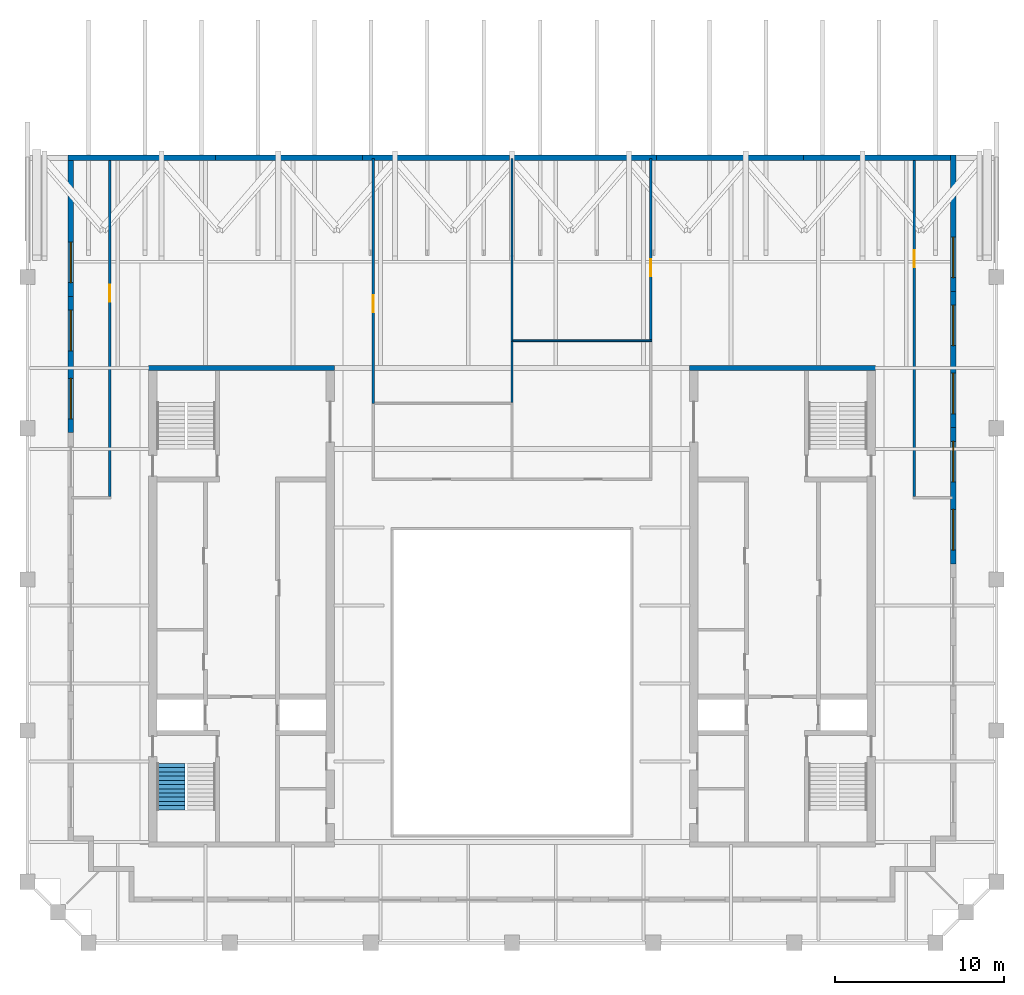
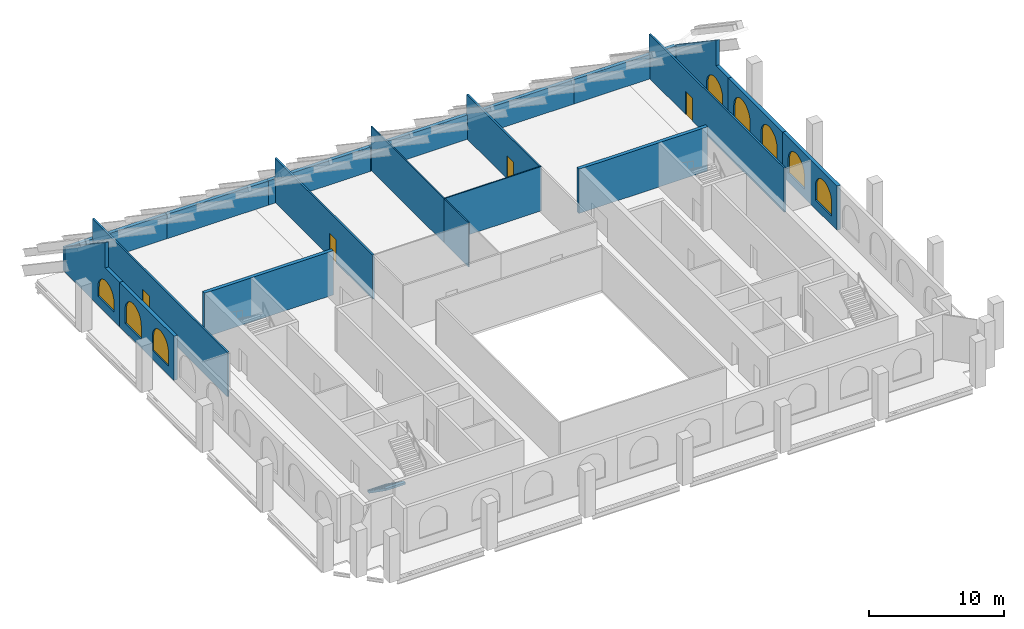
# One storey, part 6 of 8: 20 walls, 8 windows, 4 doors, 1 stair flight, 12 openings, 1 element without a shape of its own.
"""IFC4 building model written with IfcOpenShell, lengths in metres."""

from ifc_helpers import new_model, si_unit, direction, frame, frame_2d, origin, place, context, subcontext, project, spatial, polyline, rectangle, outline, extrude, material, layer, layer_set, type_object, element, fill, aggregate, save


model = new_model("IFC4")

# Units and contexts
model_context = context("Model", 3, precision=1e-05, world=origin(), true_north=direction((0.0, 1.0)))
body_context = subcontext(model_context, "Body", "Model", "MODEL_VIEW")
ifc_project = project(units=[si_unit("LENGTHUNIT", "METRE"), si_unit("AREAUNIT", "SQUARE_METRE"), si_unit("VOLUMEUNIT", "CUBIC_METRE"), si_unit("PLANEANGLEUNIT", "RADIAN"), si_unit("MASSUNIT", "GRAM", prefix="KILO")], contexts=[model_context])

# Site, building, storey
site_placement = place(None, origin())
site = spatial("IfcSite", under=ifc_project, at=site_placement, CompositionType="ELEMENT")
building_placement = place(site_placement, origin())
building = spatial("IfcBuilding", under=site, at=building_placement, Name="Ogive Exchange Tower", CompositionType="ELEMENT")
storey_placement = place(building_placement, frame((0.0, 0.0, 381.60009765625)))
storey = spatial("IfcBuildingStorey", under=building, at=storey_placement, Name="C04", CompositionType="ELEMENT", Elevation=381.60009765625)

# Wall, opening, door
ifc_material_1 = material(Name="Fire partition EI 60 150")
ifc_layer_1 = layer(ifc_material_1, 0.14990234375)
ifc_layer_set_1 = layer_set([ifc_layer_1], Name="Fire partition EI 60 150")
wall_type_1 = type_object("IfcWallType", Name="Fire partition EI 60 150", PredefinedType="PARTITIONING", material=ifc_layer_set_1)
wall_1_placement = place(storey_placement, frame((-23.800048828125, 17.985107421875, 0.0), z_axis=(0.0, 0.0, 1.0), x_axis=(0.0, 1.0, 0.0)))
wall_1 = element("IfcWall", 1, at=wall_1_placement, inside=storey, type_object=wall_type_1, Name="C04-PWL-002", PredefinedType="PARTITIONING", context=body_context, shape_type="SweptSolid", body=[
    extrude(rectangle(XDim=19.989013671875, YDim=0.14990234375, at=frame_2d((9.99462890625, 0.0))), origin(), (0.0, 0.0, 1.0), 4.0),
])
opening_1_placement = place(wall_1_placement, frame((11.534912109375, 0.0, 0.0)))
opening_1 = element("IfcOpeningElement", 2, at=opening_1_placement, cuts=wall_1, Name="Opening C04-I05", PredefinedType="OPENING", context=body_context, shape_type="SweptSolid", body=[
    extrude(rectangle(XDim=1.0, YDim=2.10009765625, at=frame_2d((0.5, 1.050048828125))), frame((0.0, 0.0849609375, 0.0), z_axis=(0.0, -1.0, 0.0), x_axis=(1.0, 0.0, 0.0)), (0.0, 0.0, 1.0), 0.169921875),
])
ifc_material_2 = material(Name="Fire door FD 30S 1000 x 2100")
door_type = type_object("IfcDoorType", Name="Fire door FD 30S 1000 x 2100", OperationType="NOTDEFINED", PredefinedType="DOOR", material=ifc_material_2)
door_1_placement = place(opening_1_placement, origin())
door_1 = element("IfcDoor", 3, at=door_1_placement, inside=storey, type_object=door_type, Name="C04-IDR-005", ObjectType="DT3", OperationType="SINGLE_SWING_LEFT", OverallHeight=2.10009765625, OverallWidth=1.0, PredefinedType="DOOR", context=body_context, shape_type="SweptSolid", body=[
    extrude(rectangle(XDim=1.0, YDim=2.10009765625, at=frame_2d((0.5, 1.050048828125))), frame((0.0, 0.02490234375, 0.0), z_axis=(0.0, -1.0, 0.0), x_axis=(1.0, 0.0, 0.0)), (0.0, 0.0, 1.0), 0.050048828125),
])
fill(opening_1, door_1)

wall_2_placement = place(storey_placement, frame((-8.199951171875, 37.97412109375, 0.0), z_axis=(0.0, 0.0, 1.0), x_axis=(0.0, -1.0, 0.0)))
wall_2 = element("IfcWall", 4, at=wall_2_placement, inside=storey, type_object=wall_type_1, Name="C04-PWL-006", PredefinedType="PARTITIONING", context=body_context, shape_type="SweptSolid", body=[
    extrude(rectangle(XDim=14.47412109375, YDim=0.14990234375, at=frame_2d((7.237060546875, 0.0))), origin(), (0.0, 0.0, 1.0), 4.0),
])
opening_2_placement = place(wall_2_placement, frame((8.073974609375, 0.0, 0.0)))
opening_2 = element("IfcOpeningElement", 5, at=opening_2_placement, cuts=wall_2, Name="Opening C04-I04", PredefinedType="OPENING", context=body_context, shape_type="SweptSolid", body=[
    extrude(rectangle(XDim=1.0, YDim=2.10009765625, at=frame_2d((0.5, 1.050048828125))), frame((0.0, 0.0849609375, 0.0), z_axis=(0.0, -1.0, 0.0), x_axis=(1.0, 0.0, 0.0)), (0.0, 0.0, 1.0), 0.169921875),
])
door_2_placement = place(opening_2_placement, origin())
door_2 = element("IfcDoor", 6, at=door_2_placement, inside=storey, type_object=door_type, Name="C04-IDR-004", ObjectType="DT3", OperationType="SINGLE_SWING_LEFT", OverallHeight=2.10009765625, OverallWidth=1.0, PredefinedType="DOOR", context=body_context, shape_type="SweptSolid", body=[
    extrude(rectangle(XDim=1.0, YDim=2.10009765625, at=frame_2d((0.5, 1.050048828125))), frame((0.0, 0.02490234375, 0.0), z_axis=(0.0, -1.0, 0.0), x_axis=(1.0, 0.0, 0.0)), (0.0, 0.0, 1.0), 0.050048828125),
])
fill(opening_2, door_2)

wall_3_placement = place(storey_placement, frame((8.199951171875, 27.25, 0.0), z_axis=(0.0, 0.0, 1.0), x_axis=(0.0, 1.0, 0.0)))
wall_3 = element("IfcWall", 7, at=wall_3_placement, inside=storey, type_object=wall_type_1, Name="C04-PWL-013", PredefinedType="PARTITIONING", context=body_context, shape_type="SweptSolid", body=[
    extrude(rectangle(XDim=10.72412109375, YDim=0.14990234375, at=frame_2d((5.362060546875, 0.0))), origin(), (0.0, 0.0, 1.0), 4.0),
])
opening_3_placement = place(wall_3_placement, frame((3.77001953125, 0.0, 0.0)))
opening_3 = element("IfcOpeningElement", 8, at=opening_3_placement, cuts=wall_3, Name="Opening C04-I02", PredefinedType="OPENING", context=body_context, shape_type="SweptSolid", body=[
    extrude(rectangle(XDim=1.0, YDim=2.10009765625, at=frame_2d((0.5, 1.050048828125))), frame((0.0, 0.0849609375, 0.0), z_axis=(0.0, -1.0, 0.0), x_axis=(1.0, 0.0, 0.0)), (0.0, 0.0, 1.0), 0.169921875),
])
door_3_placement = place(opening_3_placement, origin())
door_3 = element("IfcDoor", 9, at=door_3_placement, inside=storey, type_object=door_type, Name="C04-IDR-002", ObjectType="DT3", OperationType="SINGLE_SWING_RIGHT", OverallHeight=2.10009765625, OverallWidth=1.0, PredefinedType="DOOR", context=body_context, shape_type="SweptSolid", body=[
    extrude(rectangle(XDim=1.0, YDim=2.10009765625, at=frame_2d((0.5, 1.050048828125))), frame((0.0, 0.02490234375, 0.0), z_axis=(0.0, -1.0, 0.0), x_axis=(1.0, 0.0, 0.0)), (0.0, 0.0, 1.0), 0.050048828125),
])
fill(opening_3, door_3)

wall_4_placement = place(storey_placement, frame((23.800048828125, 37.97412109375, 0.0), z_axis=(0.0, 0.0, 1.0), x_axis=(0.0, -1.0, 0.0)))
wall_4 = element("IfcWall", 10, at=wall_4_placement, inside=storey, type_object=wall_type_1, Name="C04-PWL-015", PredefinedType="PARTITIONING", context=body_context, shape_type="SweptSolid", body=[
    extrude(rectangle(XDim=19.989013671875, YDim=0.14990234375, at=frame_2d((9.99462890625, 0.0))), origin(), (0.0, 0.0, 1.0), 4.0),
])
opening_4_placement = place(wall_4_placement, frame((5.4140625, 0.0, 0.0)))
opening_4 = element("IfcOpeningElement", 11, at=opening_4_placement, cuts=wall_4, Name="Opening C04-I06", PredefinedType="OPENING", context=body_context, shape_type="SweptSolid", body=[
    extrude(rectangle(XDim=1.0, YDim=2.10009765625, at=frame_2d((0.5, 1.050048828125))), frame((0.0, 0.0849609375, 0.0), z_axis=(0.0, -1.0, 0.0), x_axis=(1.0, 0.0, 0.0)), (0.0, 0.0, 1.0), 0.169921875),
])
door_4_placement = place(opening_4_placement, origin())
door_4 = element("IfcDoor", 12, at=door_4_placement, inside=storey, type_object=door_type, Name="C04-IDR-006", ObjectType="DT3", OperationType="SINGLE_SWING_LEFT", OverallHeight=2.10009765625, OverallWidth=1.0, PredefinedType="DOOR", context=body_context, shape_type="SweptSolid", body=[
    extrude(rectangle(XDim=1.0, YDim=2.10009765625, at=frame_2d((0.5, 1.050048828125))), frame((0.0, 0.02490234375, 0.0), z_axis=(0.0, -1.0, 0.0), x_axis=(1.0, 0.0, 0.0)), (0.0, 0.0, 1.0), 0.050048828125),
])
fill(opening_4, door_4)

# Walls
ifc_material_3 = material(Name="Partition 100 gypsum")
ifc_layer_2 = layer(ifc_material_3, 0.10009765625)
ifc_layer_set_2 = layer_set([ifc_layer_2], Name="Partition 100 gypsum")
wall_type_2 = type_object("IfcWallType", Name="Partition 100 gypsum", PredefinedType="PARTITIONING", material=ifc_layer_set_2)
wall_5_placement = place(storey_placement, frame((0.0, 23.550048828125, 0.0), z_axis=(0.0, 0.0, 1.0), x_axis=(0.0, 1.0, 0.0)))
element("IfcWall", 13, at=wall_5_placement, inside=storey, type_object=wall_type_2, Name="C04-PWL-009", PredefinedType="PARTITIONING", context=body_context, shape_type="SweptSolid", body=[
    extrude(rectangle(XDim=3.599853515625, YDim=0.10009765625, at=frame_2d((1.7998046875, 0.0))), origin(), (0.0, 0.0, 1.0), 4.0),
])
wall_6_placement = place(storey_placement, frame((0.0, 27.14990234375, 0.0), z_axis=(0.0, 0.0, 1.0), x_axis=(0.0, 1.0, 0.0)))
element("IfcWall", 14, at=wall_6_placement, inside=storey, type_object=wall_type_2, Name="C04-PWL-010", PredefinedType="PARTITIONING", context=body_context, shape_type="SweptSolid", body=[
    extrude(rectangle(XDim=10.82421875, YDim=0.10009765625, at=frame_2d((5.412109375, 0.0))), origin(), (0.0, 0.0, 1.0), 4.0),
])
wall_7_placement = place(storey_placement, frame((0.050048828125, 27.199951171875, 0.0), z_axis=(0.0, 0.0, 1.0), x_axis=(1.0, 0.0, 0.0)))
element("IfcWall", 15, at=wall_7_placement, inside=storey, type_object=wall_type_2, Name="C04-PWL-011", PredefinedType="PARTITIONING", context=body_context, shape_type="SweptSolid", body=[
    extrude(rectangle(XDim=8.224853515625, YDim=0.10009765625, at=frame_2d((4.1123046875, 0.0))), origin(), (0.0, 0.0, 1.0), 4.0),
])
ifc_material_4 = material(Name="Concrete C70/85", Category="concrete")
ifc_layer_3 = layer(ifc_material_4, 0.300048828125)
ifc_layer_set_3 = layer_set([ifc_layer_3], Name="RC core wall 300 C70/85")
wall_type_3 = type_object("IfcWallType", Name="RC core wall 300 C70/85", PredefinedType="SHEAR", material=ifc_layer_set_3)
for number, where, z_axis, x_axis, name in (
    (16, (-21.5, 25.60009765625, 0.0), (0.0, 0.0, 1.0), (1.0, 0.0, 0.0), "W north end wall"),
    (17, (10.5, 25.60009765625, 0.0), (0.0, 0.0, 1.0), (1.0, 0.0, 0.0), "E north end wall"),
):
    element("IfcWall", number, at=place(storey_placement, frame(where, z_axis=z_axis, x_axis=x_axis)), inside=storey, type_object=wall_type_3, Name=name, PredefinedType="SHEAR", context=body_context, shape_type="SweptSolid", body=[
        extrude(rectangle(XDim=11.0, YDim=0.300048828125, at=frame_2d((5.5, 0.0))), origin(), (0.0, 0.0, 1.0), 4.0),
    ])

# Wall, openings, windows
ifc_material_5 = material(Name="Precast concrete C40/50", Category="concrete")
ifc_layer_4 = layer(ifc_material_5, 0.300048828125)
ifc_layer_set_4 = layer_set([ifc_layer_4], Name="Zinc-clad crown wall 300")
wall_type_4 = type_object("IfcWallType", Name="Zinc-clad crown wall 300", PredefinedType="STANDARD", material=ifc_layer_set_4)
wall_8_placement = place(storey_placement, frame((26.10009765625, 14.009765625, 0.0), z_axis=(0.0, 0.0, 1.0), x_axis=(0.0, 1.0, 0.0)))
wall_8 = element("IfcWall", 18, at=wall_8_placement, inside=storey, type_object=wall_type_4, Name="Crown wall 15", PredefinedType="STANDARD", context=body_context, shape_type="SweptSolid", body=[
    extrude(rectangle(XDim=8.054931640625, YDim=0.300048828125, at=frame_2d((4.02734375, 0.0))), origin(), (0.0, 0.0, 1.0), 4.0),
])
opening_5_placement = place(wall_8_placement, frame((0.813720703125, 0.0, 0.800048828125)))
opening_5 = element("IfcOpeningElement", 19, at=opening_5_placement, cuts=wall_8, Name="Opening WC25", PredefinedType="OPENING", context=body_context, shape_type="SweptSolid", body=[
    extrude(outline(polyline([(0.0, 0.0), (2.39990234375, 0.0), (2.39990234375, 1.25), (2.377197265625, 1.48779296875), (2.3095703125, 1.717041015625), (2.19970703125, 1.928955078125), (2.05126953125, 2.116455078125), (1.8701171875, 2.272216796875), (1.662841796875, 2.390625), (1.4365234375, 2.467529296875), (1.199951171875, 2.5), (0.96337890625, 2.467529296875), (0.737060546875, 2.390625), (0.52978515625, 2.272216796875), (0.3486328125, 2.116455078125), (0.2001953125, 1.928955078125), (0.09033203125, 1.717041015625), (0.022705078125, 1.48779296875), (0.0, 1.25), (0.0, 0.0)])), frame((0.0, 0.159912109375, 0.0), z_axis=(0.0, -1.0, 0.0), x_axis=(1.0, 0.0, 0.0)), (0.0, 0.0, 1.0), 0.320068359375),
])
opening_6_placement = place(wall_8_placement, frame((4.84130859375, 0.0, 0.800048828125)))
opening_6 = element("IfcOpeningElement", 20, at=opening_6_placement, cuts=wall_8, Name="Opening WC25", PredefinedType="OPENING", context=body_context, shape_type="SweptSolid", body=[
    extrude(outline(polyline([(0.0, 0.0), (2.39990234375, 0.0), (2.39990234375, 1.25), (2.377197265625, 1.48779296875), (2.3095703125, 1.717041015625), (2.19970703125, 1.928955078125), (2.05126953125, 2.116455078125), (1.8701171875, 2.272216796875), (1.662841796875, 2.390625), (1.4365234375, 2.467529296875), (1.199951171875, 2.5), (0.96337890625, 2.467529296875), (0.737060546875, 2.390625), (0.52978515625, 2.272216796875), (0.3486328125, 2.116455078125), (0.2001953125, 1.928955078125), (0.09033203125, 1.717041015625), (0.022705078125, 1.48779296875), (0.0, 1.25), (0.0, 0.0)])), frame((0.0, 0.159912109375, 0.0), z_axis=(0.0, -1.0, 0.0), x_axis=(1.0, 0.0, 0.0)), (0.0, 0.0, 1.0), 0.320068359375),
])
ifc_material_6 = material(Name="Clear glass in bronze frame", Category="glass")
window_type_1 = type_object("IfcWindowType", Name="Crown lancet window 2400 x 2500", PartitioningType="DOUBLE_PANEL_VERTICAL", PredefinedType="WINDOW", material=ifc_material_6)
window_1_placement = place(opening_5_placement, origin())
window_1 = element("IfcWindow", 21, at=window_1_placement, inside=storey, type_object=window_type_1, Name="Crown lancet 15.1", OverallHeight=2.5, OverallWidth=2.39990234375, PartitioningType="DOUBLE_PANEL_VERTICAL", PredefinedType="WINDOW", context=body_context, shape_type="SweptSolid", body=[
    extrude(outline(polyline([(0.0, 0.0), (2.39990234375, 0.0), (2.39990234375, 1.25), (2.377197265625, 1.48779296875), (2.3095703125, 1.717041015625), (2.19970703125, 1.928955078125), (2.05126953125, 2.116455078125), (1.8701171875, 2.272216796875), (1.662841796875, 2.390625), (1.4365234375, 2.467529296875), (1.199951171875, 2.5), (0.96337890625, 2.467529296875), (0.737060546875, 2.390625), (0.52978515625, 2.272216796875), (0.3486328125, 2.116455078125), (0.2001953125, 1.928955078125), (0.09033203125, 1.717041015625), (0.022705078125, 1.48779296875), (0.0, 1.25), (0.0, 0.0)])), frame((0.0, 0.030029296875, 0.0), z_axis=(0.0, -1.0, 0.0), x_axis=(1.0, 0.0, 0.0)), (0.0, 0.0, 1.0), 0.06005859375),
])
fill(opening_5, window_1)
window_2_placement = place(opening_6_placement, origin())
window_2 = element("IfcWindow", 22, at=window_2_placement, inside=storey, type_object=window_type_1, Name="Crown lancet 15.2", OverallHeight=2.5, OverallWidth=2.39990234375, PartitioningType="DOUBLE_PANEL_VERTICAL", PredefinedType="WINDOW", context=body_context, shape_type="SweptSolid", body=[
    extrude(outline(polyline([(0.0, 0.0), (2.39990234375, 0.0), (2.39990234375, 1.25), (2.377197265625, 1.48779296875), (2.3095703125, 1.717041015625), (2.19970703125, 1.928955078125), (2.05126953125, 2.116455078125), (1.8701171875, 2.272216796875), (1.662841796875, 2.390625), (1.4365234375, 2.467529296875), (1.199951171875, 2.5), (0.96337890625, 2.467529296875), (0.737060546875, 2.390625), (0.52978515625, 2.272216796875), (0.3486328125, 2.116455078125), (0.2001953125, 1.928955078125), (0.09033203125, 1.717041015625), (0.022705078125, 1.48779296875), (0.0, 1.25), (0.0, 0.0)])), frame((0.0, 0.030029296875, 0.0), z_axis=(0.0, -1.0, 0.0), x_axis=(1.0, 0.0, 0.0)), (0.0, 0.0, 1.0), 0.06005859375),
])
fill(opening_6, window_2)

wall_9_placement = place(storey_placement, frame((26.10009765625, 22.064697265625, 0.0), z_axis=(0.0, 0.0, 1.0), x_axis=(0.0, 1.0, 0.0)))
wall_9 = element("IfcWall", 23, at=wall_9_placement, inside=storey, type_object=wall_type_4, Name="Crown wall 16", PredefinedType="STANDARD", context=body_context, shape_type="SweptSolid", body=[
    extrude(rectangle(XDim=8.0546875, YDim=0.300048828125, at=frame_2d((4.02734375, 0.0))), origin(), (0.0, 0.0, 1.0), 4.0),
])
opening_7_placement = place(wall_9_placement, frame((0.813720703125, 0.0, 0.800048828125)))
opening_7 = element("IfcOpeningElement", 24, at=opening_7_placement, cuts=wall_9, Name="Opening WC25", PredefinedType="OPENING", context=body_context, shape_type="SweptSolid", body=[
    extrude(outline(polyline([(0.0, 0.0), (2.39990234375, 0.0), (2.39990234375, 1.25), (2.377197265625, 1.48779296875), (2.3095703125, 1.717041015625), (2.19970703125, 1.928955078125), (2.05126953125, 2.116455078125), (1.8701171875, 2.272216796875), (1.662841796875, 2.390625), (1.4365234375, 2.467529296875), (1.199951171875, 2.5), (0.96337890625, 2.467529296875), (0.737060546875, 2.390625), (0.52978515625, 2.272216796875), (0.3486328125, 2.116455078125), (0.2001953125, 1.928955078125), (0.09033203125, 1.717041015625), (0.022705078125, 1.48779296875), (0.0, 1.25), (0.0, 0.0)])), frame((0.0, 0.159912109375, 0.0), z_axis=(0.0, -1.0, 0.0), x_axis=(1.0, 0.0, 0.0)), (0.0, 0.0, 1.0), 0.320068359375),
])
opening_8_placement = place(wall_9_placement, frame((4.84130859375, 0.0, 0.800048828125)))
opening_8 = element("IfcOpeningElement", 25, at=opening_8_placement, cuts=wall_9, Name="Opening WC25", PredefinedType="OPENING", context=body_context, shape_type="SweptSolid", body=[
    extrude(outline(polyline([(0.0, 0.0), (2.39990234375, 0.0), (2.39990234375, 1.25), (2.377197265625, 1.48779296875), (2.3095703125, 1.717041015625), (2.19970703125, 1.928955078125), (2.05126953125, 2.116455078125), (1.8701171875, 2.272216796875), (1.662841796875, 2.390625), (1.4365234375, 2.467529296875), (1.199951171875, 2.5), (0.96337890625, 2.467529296875), (0.737060546875, 2.390625), (0.52978515625, 2.272216796875), (0.3486328125, 2.116455078125), (0.2001953125, 1.928955078125), (0.09033203125, 1.717041015625), (0.022705078125, 1.48779296875), (0.0, 1.25), (0.0, 0.0)])), frame((0.0, 0.159912109375, 0.0), z_axis=(0.0, -1.0, 0.0), x_axis=(1.0, 0.0, 0.0)), (0.0, 0.0, 1.0), 0.320068359375),
])
window_3_placement = place(opening_7_placement, origin())
window_3 = element("IfcWindow", 26, at=window_3_placement, inside=storey, type_object=window_type_1, Name="Crown lancet 16.1", OverallHeight=2.5, OverallWidth=2.39990234375, PartitioningType="DOUBLE_PANEL_VERTICAL", PredefinedType="WINDOW", context=body_context, shape_type="SweptSolid", body=[
    extrude(outline(polyline([(0.0, 0.0), (2.39990234375, 0.0), (2.39990234375, 1.25), (2.377197265625, 1.48779296875), (2.3095703125, 1.717041015625), (2.19970703125, 1.928955078125), (2.05126953125, 2.116455078125), (1.8701171875, 2.272216796875), (1.662841796875, 2.390625), (1.4365234375, 2.467529296875), (1.199951171875, 2.5), (0.96337890625, 2.467529296875), (0.737060546875, 2.390625), (0.52978515625, 2.272216796875), (0.3486328125, 2.116455078125), (0.2001953125, 1.928955078125), (0.09033203125, 1.717041015625), (0.022705078125, 1.48779296875), (0.0, 1.25), (0.0, 0.0)])), frame((0.0, 0.030029296875, 0.0), z_axis=(0.0, -1.0, 0.0), x_axis=(1.0, 0.0, 0.0)), (0.0, 0.0, 1.0), 0.06005859375),
])
fill(opening_7, window_3)
window_4_placement = place(opening_8_placement, origin())
window_4 = element("IfcWindow", 27, at=window_4_placement, inside=storey, type_object=window_type_1, Name="Crown lancet 16.2", OverallHeight=2.5, OverallWidth=2.39990234375, PartitioningType="DOUBLE_PANEL_VERTICAL", PredefinedType="WINDOW", context=body_context, shape_type="SweptSolid", body=[
    extrude(outline(polyline([(0.0, 0.0), (2.39990234375, 0.0), (2.39990234375, 1.25), (2.377197265625, 1.48779296875), (2.3095703125, 1.717041015625), (2.19970703125, 1.928955078125), (2.05126953125, 2.116455078125), (1.8701171875, 2.272216796875), (1.662841796875, 2.390625), (1.4365234375, 2.467529296875), (1.199951171875, 2.5), (0.96337890625, 2.467529296875), (0.737060546875, 2.390625), (0.52978515625, 2.272216796875), (0.3486328125, 2.116455078125), (0.2001953125, 1.928955078125), (0.09033203125, 1.717041015625), (0.022705078125, 1.48779296875), (0.0, 1.25), (0.0, 0.0)])), frame((0.0, 0.030029296875, 0.0), z_axis=(0.0, -1.0, 0.0), x_axis=(1.0, 0.0, 0.0)), (0.0, 0.0, 1.0), 0.06005859375),
])
fill(opening_8, window_4)

# Wall, opening, window
wall_10_placement = place(storey_placement, frame((26.10009765625, 30.119384765625, 0.0), z_axis=(0.0, 0.0, 1.0), x_axis=(0.0, 1.0, 0.0)))
wall_10 = element("IfcWall", 28, at=wall_10_placement, inside=storey, type_object=wall_type_4, Name="Crown wall 17", PredefinedType="STANDARD", context=body_context, shape_type="SweptSolid", body=[
    extrude(outline(polyline([(0.0, 0.0), (8.054931640625, 0.0), (8.054931640625, 2.098388671875), (5.235595703125, 4.0), (1.84814453125, 6.284912109375), (1.828125, 6.297607421875), (1.828125, 4.0), (0.0, 4.0), (0.0, 0.0)])), frame((0.0, 0.14990234375, 0.0), z_axis=(0.0, -1.0, 0.0), x_axis=(1.0, 0.0, 0.0)), (0.0, 0.0, 1.0), 0.300048828125),
])
opening_9_placement = place(wall_10_placement, frame((0.813720703125, 0.0, 0.800048828125)))
opening_9 = element("IfcOpeningElement", 29, at=opening_9_placement, cuts=wall_10, Name="Opening WC25A", PredefinedType="OPENING", context=body_context, shape_type="SweptSolid", body=[
    extrude(outline(polyline([(0.0, 0.0), (2.39990234375, 0.0), (2.39990234375, 0.85009765625), (2.377197265625, 1.087890625), (2.3095703125, 1.317138671875), (2.19970703125, 1.529052734375), (2.05126953125, 1.716552734375), (1.8701171875, 1.872314453125), (1.662841796875, 1.99072265625), (1.4365234375, 2.067626953125), (1.199951171875, 2.10009765625), (0.96337890625, 2.067626953125), (0.737060546875, 1.99072265625), (0.52978515625, 1.872314453125), (0.3486328125, 1.716552734375), (0.2001953125, 1.529052734375), (0.09033203125, 1.317138671875), (0.022705078125, 1.087890625), (0.0, 0.85009765625), (0.0, 0.0)])), frame((0.0, 0.159912109375, 0.0), z_axis=(0.0, -1.0, 0.0), x_axis=(1.0, 0.0, 0.0)), (0.0, 0.0, 1.0), 0.320068359375),
])
window_type_2 = type_object("IfcWindowType", Name="Crown lancet window 2400 x 2100", PartitioningType="DOUBLE_PANEL_VERTICAL", PredefinedType="WINDOW", material=ifc_material_6)
window_5_placement = place(opening_9_placement, origin())
window_5 = element("IfcWindow", 30, at=window_5_placement, inside=storey, type_object=window_type_2, Name="Crown lancet 17.1", OverallHeight=2.10009765625, OverallWidth=2.39990234375, PartitioningType="DOUBLE_PANEL_VERTICAL", PredefinedType="WINDOW", context=body_context, shape_type="SweptSolid", body=[
    extrude(outline(polyline([(0.0, 0.0), (2.39990234375, 0.0), (2.39990234375, 0.85009765625), (2.377197265625, 1.087890625), (2.3095703125, 1.317138671875), (2.19970703125, 1.529052734375), (2.05126953125, 1.716552734375), (1.8701171875, 1.872314453125), (1.662841796875, 1.99072265625), (1.4365234375, 2.067626953125), (1.199951171875, 2.10009765625), (0.96337890625, 2.067626953125), (0.737060546875, 1.99072265625), (0.52978515625, 1.872314453125), (0.3486328125, 1.716552734375), (0.2001953125, 1.529052734375), (0.09033203125, 1.317138671875), (0.022705078125, 1.087890625), (0.0, 0.85009765625), (0.0, 0.0)])), frame((0.0, 0.030029296875, 0.0), z_axis=(0.0, -1.0, 0.0), x_axis=(1.0, 0.0, 0.0)), (0.0, 0.0, 1.0), 0.06005859375),
])
fill(opening_9, window_5)

# Walls
for number, where, z_axis, x_axis, name in (
    (31, (25.949951171875, 38.0244140625, 0.0), (0.0, 0.0, 1.0), (-1.0, 0.0, 0.0), "Crown wall 18"),
    (32, (17.25, 38.0244140625, 0.0), (0.0, 0.0, 1.0), (-1.0, 0.0, 0.0), "Crown wall 19"),
    (33, (8.550048828125, 38.0244140625, 0.0), (0.0, 0.0, 1.0), (-1.0, 0.0, 0.0), "Crown wall 20"),
):
    element("IfcWall", number, at=place(storey_placement, frame(where, z_axis=z_axis, x_axis=x_axis)), inside=storey, type_object=wall_type_4, Name=name, PredefinedType="STANDARD", context=body_context, shape_type="SweptSolid", body=[
        extrude(rectangle(XDim=8.699951171875, YDim=0.300048828125, at=frame_2d((4.35009765625, 0.0))), origin(), (0.0, 0.0, 1.0), 2.199462890625),
    ])
wall_11_placement = place(storey_placement, frame((-0.14990234375, 38.0244140625, 0.0), z_axis=(0.0, 0.0, 1.0), x_axis=(-1.0, 0.0, 0.0)))
element("IfcWall", 34, at=wall_11_placement, inside=storey, type_object=wall_type_4, Name="Crown wall 21", PredefinedType="STANDARD", context=body_context, shape_type="SweptSolid", body=[
    extrude(rectangle(XDim=8.7001953125, YDim=0.300048828125, at=frame_2d((4.35009765625, 0.0))), origin(), (0.0, 0.0, 1.0), 2.199462890625),
])
for number, where, z_axis, x_axis, name in (
    (35, (-8.85009765625, 38.0244140625, 0.0), (0.0, 0.0, 1.0), (-1.0, 0.0, 0.0), "Crown wall 22"),
    (36, (-17.550048828125, 38.0244140625, 0.0), (0.0, 0.0, 1.0), (-1.0, 0.0, 0.0), "Crown wall 23"),
):
    element("IfcWall", number, at=place(storey_placement, frame(where, z_axis=z_axis, x_axis=x_axis)), inside=storey, type_object=wall_type_4, Name=name, PredefinedType="STANDARD", context=body_context, shape_type="SweptSolid", body=[
        extrude(rectangle(XDim=8.699951171875, YDim=0.300048828125, at=frame_2d((4.35009765625, 0.0))), origin(), (0.0, 0.0, 1.0), 2.199462890625),
    ])

# Wall, opening, window
wall_12_placement = place(storey_placement, frame((-26.10009765625, 37.87451171875, 0.0), z_axis=(0.0, 0.0, 1.0), x_axis=(0.0, -1.0, 0.0)))
wall_12 = element("IfcWall", 37, at=wall_12_placement, inside=storey, type_object=wall_type_4, Name="Crown wall 24", PredefinedType="STANDARD", context=body_context, shape_type="SweptSolid", body=[
    extrude(outline(polyline([(0.0, 0.0), (8.054931640625, 0.0), (8.054931640625, 4.0), (5.9267578125, 4.0), (5.9267578125, 6.297607421875), (5.90673828125, 6.284912109375), (2.519287109375, 4.0), (0.0, 2.30078125), (0.0, 0.0)])), frame((0.0, 0.14990234375, 0.0), z_axis=(0.0, -1.0, 0.0), x_axis=(1.0, 0.0, 0.0)), (0.0, 0.0, 1.0), 0.300048828125),
])
opening_10_placement = place(wall_12_placement, frame((4.84130859375, 0.0, 0.800048828125)))
opening_10 = element("IfcOpeningElement", 38, at=opening_10_placement, cuts=wall_12, Name="Opening WC25A", PredefinedType="OPENING", context=body_context, shape_type="SweptSolid", body=[
    extrude(outline(polyline([(0.0, 0.0), (2.39990234375, 0.0), (2.39990234375, 0.85009765625), (2.377197265625, 1.087890625), (2.3095703125, 1.317138671875), (2.19970703125, 1.529052734375), (2.05126953125, 1.716552734375), (1.8701171875, 1.872314453125), (1.662841796875, 1.99072265625), (1.4365234375, 2.067626953125), (1.199951171875, 2.10009765625), (0.96337890625, 2.067626953125), (0.737060546875, 1.99072265625), (0.52978515625, 1.872314453125), (0.3486328125, 1.716552734375), (0.2001953125, 1.529052734375), (0.09033203125, 1.317138671875), (0.022705078125, 1.087890625), (0.0, 0.85009765625), (0.0, 0.0)])), frame((0.0, 0.159912109375, 0.0), z_axis=(0.0, -1.0, 0.0), x_axis=(1.0, 0.0, 0.0)), (0.0, 0.0, 1.0), 0.320068359375),
])
window_6_placement = place(opening_10_placement, origin())
window_6 = element("IfcWindow", 39, at=window_6_placement, inside=storey, type_object=window_type_2, Name="Crown lancet 24.2", OverallHeight=2.10009765625, OverallWidth=2.39990234375, PartitioningType="DOUBLE_PANEL_VERTICAL", PredefinedType="WINDOW", context=body_context, shape_type="SweptSolid", body=[
    extrude(outline(polyline([(0.0, 0.0), (2.39990234375, 0.0), (2.39990234375, 0.85009765625), (2.377197265625, 1.087890625), (2.3095703125, 1.317138671875), (2.19970703125, 1.529052734375), (2.05126953125, 1.716552734375), (1.8701171875, 1.872314453125), (1.662841796875, 1.99072265625), (1.4365234375, 2.067626953125), (1.199951171875, 2.10009765625), (0.96337890625, 2.067626953125), (0.737060546875, 1.99072265625), (0.52978515625, 1.872314453125), (0.3486328125, 1.716552734375), (0.2001953125, 1.529052734375), (0.09033203125, 1.317138671875), (0.022705078125, 1.087890625), (0.0, 0.85009765625), (0.0, 0.0)])), frame((0.0, 0.030029296875, 0.0), z_axis=(0.0, -1.0, 0.0), x_axis=(1.0, 0.0, 0.0)), (0.0, 0.0, 1.0), 0.06005859375),
])
fill(opening_10, window_6)

# Wall, openings, windows
wall_13_placement = place(storey_placement, frame((-26.10009765625, 29.819580078125, 0.0), z_axis=(0.0, 0.0, 1.0), x_axis=(0.0, -1.0, 0.0)))
wall_13 = element("IfcWall", 40, at=wall_13_placement, inside=storey, type_object=wall_type_4, Name="Crown wall 25", PredefinedType="STANDARD", context=body_context, shape_type="SweptSolid", body=[
    extrude(rectangle(XDim=8.054931640625, YDim=0.300048828125, at=frame_2d((4.02734375, 0.0))), origin(), (0.0, 0.0, 1.0), 4.0),
])
opening_11_placement = place(wall_13_placement, frame((0.813720703125, 0.0, 0.800048828125)))
opening_11 = element("IfcOpeningElement", 41, at=opening_11_placement, cuts=wall_13, Name="Opening WC25", PredefinedType="OPENING", context=body_context, shape_type="SweptSolid", body=[
    extrude(outline(polyline([(0.0, 0.0), (2.39990234375, 0.0), (2.39990234375, 1.25), (2.377197265625, 1.48779296875), (2.3095703125, 1.717041015625), (2.19970703125, 1.928955078125), (2.05126953125, 2.116455078125), (1.8701171875, 2.272216796875), (1.662841796875, 2.390625), (1.4365234375, 2.467529296875), (1.199951171875, 2.5), (0.96337890625, 2.467529296875), (0.737060546875, 2.390625), (0.52978515625, 2.272216796875), (0.3486328125, 2.116455078125), (0.2001953125, 1.928955078125), (0.09033203125, 1.717041015625), (0.022705078125, 1.48779296875), (0.0, 1.25), (0.0, 0.0)])), frame((0.0, 0.159912109375, 0.0), z_axis=(0.0, -1.0, 0.0), x_axis=(1.0, 0.0, 0.0)), (0.0, 0.0, 1.0), 0.320068359375),
])
opening_12_placement = place(wall_13_placement, frame((4.84130859375, 0.0, 0.800048828125)))
opening_12 = element("IfcOpeningElement", 42, at=opening_12_placement, cuts=wall_13, Name="Opening WC25", PredefinedType="OPENING", context=body_context, shape_type="SweptSolid", body=[
    extrude(outline(polyline([(0.0, 0.0), (2.39990234375, 0.0), (2.39990234375, 1.25), (2.377197265625, 1.48779296875), (2.3095703125, 1.717041015625), (2.19970703125, 1.928955078125), (2.05126953125, 2.116455078125), (1.8701171875, 2.272216796875), (1.662841796875, 2.390625), (1.4365234375, 2.467529296875), (1.199951171875, 2.5), (0.96337890625, 2.467529296875), (0.737060546875, 2.390625), (0.52978515625, 2.272216796875), (0.3486328125, 2.116455078125), (0.2001953125, 1.928955078125), (0.09033203125, 1.717041015625), (0.022705078125, 1.48779296875), (0.0, 1.25), (0.0, 0.0)])), frame((0.0, 0.159912109375, 0.0), z_axis=(0.0, -1.0, 0.0), x_axis=(1.0, 0.0, 0.0)), (0.0, 0.0, 1.0), 0.320068359375),
])
window_7_placement = place(opening_11_placement, origin())
window_7 = element("IfcWindow", 43, at=window_7_placement, inside=storey, type_object=window_type_1, Name="Crown lancet 25.1", OverallHeight=2.5, OverallWidth=2.39990234375, PartitioningType="DOUBLE_PANEL_VERTICAL", PredefinedType="WINDOW", context=body_context, shape_type="SweptSolid", body=[
    extrude(outline(polyline([(0.0, 0.0), (2.39990234375, 0.0), (2.39990234375, 1.25), (2.377197265625, 1.48779296875), (2.3095703125, 1.717041015625), (2.19970703125, 1.928955078125), (2.05126953125, 2.116455078125), (1.8701171875, 2.272216796875), (1.662841796875, 2.390625), (1.4365234375, 2.467529296875), (1.199951171875, 2.5), (0.96337890625, 2.467529296875), (0.737060546875, 2.390625), (0.52978515625, 2.272216796875), (0.3486328125, 2.116455078125), (0.2001953125, 1.928955078125), (0.09033203125, 1.717041015625), (0.022705078125, 1.48779296875), (0.0, 1.25), (0.0, 0.0)])), frame((0.0, 0.030029296875, 0.0), z_axis=(0.0, -1.0, 0.0), x_axis=(1.0, 0.0, 0.0)), (0.0, 0.0, 1.0), 0.06005859375),
])
fill(opening_11, window_7)
window_8_placement = place(opening_12_placement, origin())
window_8 = element("IfcWindow", 44, at=window_8_placement, inside=storey, type_object=window_type_1, Name="Crown lancet 25.2", OverallHeight=2.5, OverallWidth=2.39990234375, PartitioningType="DOUBLE_PANEL_VERTICAL", PredefinedType="WINDOW", context=body_context, shape_type="SweptSolid", body=[
    extrude(outline(polyline([(0.0, 0.0), (2.39990234375, 0.0), (2.39990234375, 1.25), (2.377197265625, 1.48779296875), (2.3095703125, 1.717041015625), (2.19970703125, 1.928955078125), (2.05126953125, 2.116455078125), (1.8701171875, 2.272216796875), (1.662841796875, 2.390625), (1.4365234375, 2.467529296875), (1.199951171875, 2.5), (0.96337890625, 2.467529296875), (0.737060546875, 2.390625), (0.52978515625, 2.272216796875), (0.3486328125, 2.116455078125), (0.2001953125, 1.928955078125), (0.09033203125, 1.717041015625), (0.022705078125, 1.48779296875), (0.0, 1.25), (0.0, 0.0)])), frame((0.0, 0.030029296875, 0.0), z_axis=(0.0, -1.0, 0.0), x_axis=(1.0, 0.0, 0.0)), (0.0, 0.0, 1.0), 0.06005859375),
])
fill(opening_12, window_8)

# Stair, stair flight
ifc_material_7 = material(Name="Concrete C40/50", Category="concrete")
stair_type = type_object("IfcStairType", Name="Exit stair 1650 wide", PredefinedType="HALF_TURN_STAIR", material=ifc_material_7)
stair_placement = place(storey_placement, origin())
stair = element("IfcStair", 45, at=stair_placement, inside=storey, type_object=stair_type, Name="C04 exit stair ST1", PredefinedType="HALF_TURN_STAIR")
stair_flight_type = type_object("IfcStairFlightType", Name="Stair flight 1650 wide", PredefinedType="STRAIGHT", material=ifc_material_7)
stair_flight_placement = place(storey_placement, frame((-20.175048828125, 2.199951171875, 0.0), z_axis=(0.0, 0.0, 1.0), x_axis=(0.0, -1.0, 0.0)))
stair_flight = element("IfcStairFlight", 46, at=stair_flight_placement, type_object=stair_flight_type, Name="ST1 flight 1", NumberOfRisers=12, NumberOfTreads=11, PredefinedType="STRAIGHT", RiserHeight=0.175, TreadLength=0.25, context=body_context, shape_type="SweptSolid", body=[
    extrude(outline(polyline([(0.0, 0.0), (0.0, 0.175048828125), (0.25, 0.175048828125), (0.25, 0.35009765625), (0.5, 0.35009765625), (0.5, 0.52490234375), (0.75, 0.52490234375), (0.75, 0.699951171875), (1.0, 0.699951171875), (1.0, 0.875), (1.25, 0.875), (1.25, 1.050048828125), (1.5, 1.050048828125), (1.5, 1.22509765625), (1.75, 1.22509765625), (1.75, 1.39990234375), (2.0, 1.39990234375), (2.0, 1.574951171875), (2.25, 1.574951171875), (2.25, 1.75), (2.5, 1.75), (2.5, 1.925048828125), (2.75, 1.925048828125), (2.75, 2.10009765625), (2.75, 1.741943359375), (0.261474609375, 0.0), (0.0, 0.0)])), frame((0.0, 0.824951171875, 0.0), z_axis=(0.0, -1.0, 0.0), x_axis=(1.0, 0.0, 0.0)), (0.0, 0.0, 1.0), 1.64990234375),
])
aggregate(stair, [stair_flight])

save(model, "model.ifc")
